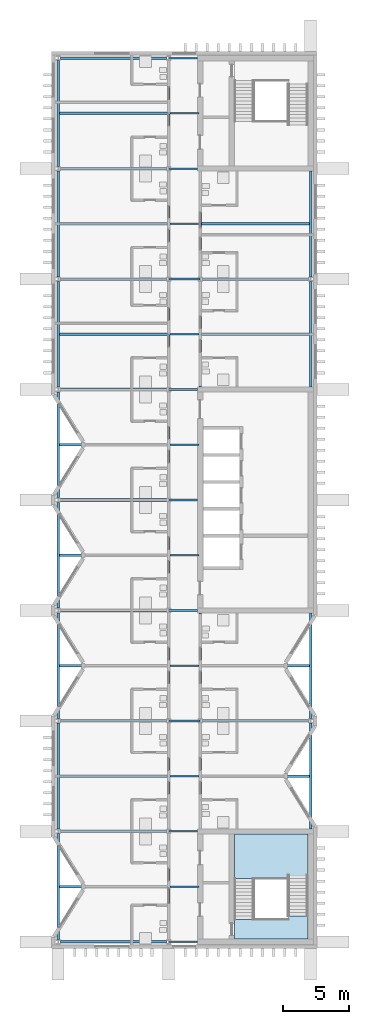
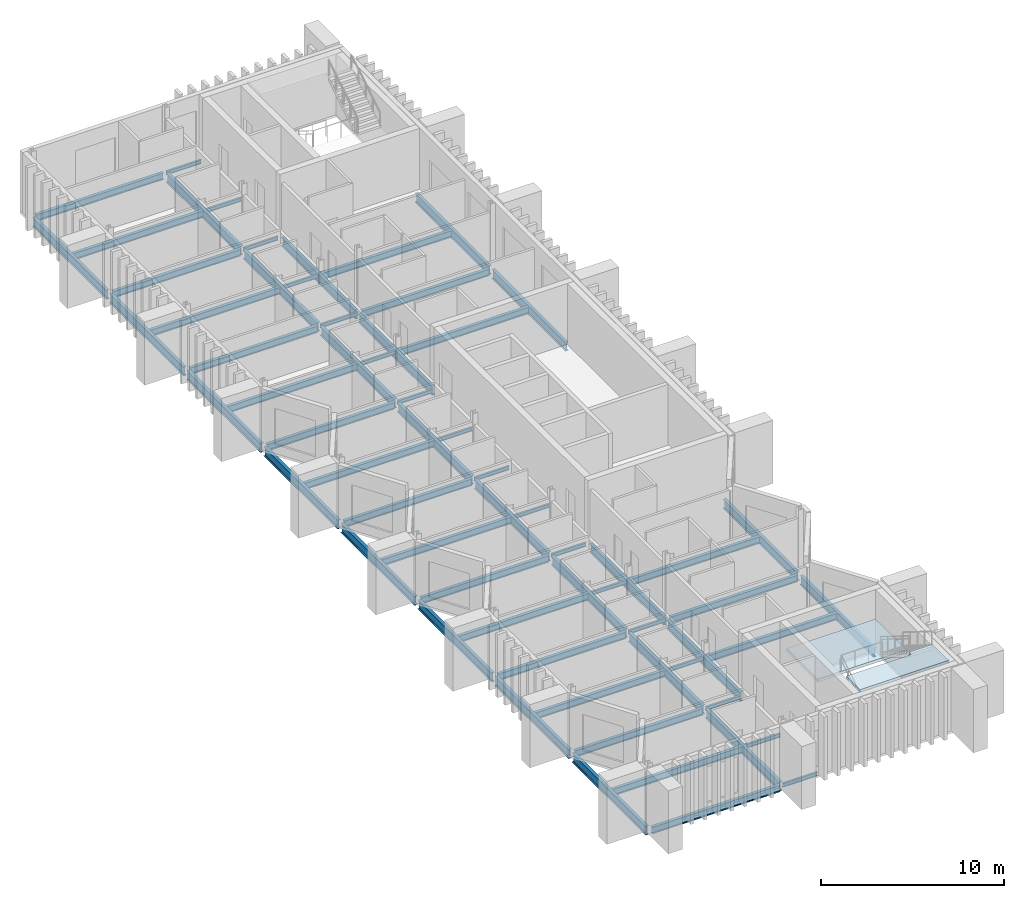
# One storey, part 3 of 11: 64 beams, 2 slabs, 1 element without a shape of its own.
"""IFC4 building model written with IfcOpenShell, lengths in metres."""

from ifc_helpers import new_model, si_unit, direction, frame, origin, origin_2d, place, context, subcontext, project, spatial, polyline, i_section, outline, extrude, material, layer, layer_set, material_profile, profile_set, type_object, element, aggregate, save


model = new_model("IFC4")

# Units and contexts
model_context = context("Model", 3, precision=1e-05, world=origin(), true_north=direction((0.0, 1.0)))
body_context = subcontext(model_context, "Body", "Model", "MODEL_VIEW")
ifc_project = project(units=[si_unit("LENGTHUNIT", "METRE"), si_unit("AREAUNIT", "SQUARE_METRE"), si_unit("VOLUMEUNIT", "CUBIC_METRE"), si_unit("PLANEANGLEUNIT", "RADIAN"), si_unit("MASSUNIT", "GRAM", prefix="KILO")], contexts=[model_context])

# Site, building, storey
site_placement = place(None, origin())
site = spatial("IfcSite", under=ifc_project, at=site_placement, CompositionType="ELEMENT")
building_placement = place(site_placement, origin())
building = spatial("IfcBuilding", under=site, at=building_placement, Name="Cresset Court Congress Hotel", CompositionType="ELEMENT")
storey_placement = place(building_placement, frame((0.0, 0.0, 52.199951171875)))
storey = spatial("IfcBuildingStorey", under=building, at=storey_placement, Name="L12", CompositionType="ELEMENT", Elevation=52.199951171875)

# Beams
ifc_material_1 = material(Name="Structural steel Q355B", Category="steel")
ifc_material_profile_1 = material_profile(ifc_material_1, i_section(OverallWidth=0.198974609375, OverallDepth=0.446044921875, WebThickness=0.008056640625, FlangeThickness=0.011962890625, FilletRadius=0.012939453125, at=origin_2d()), Name="HN446x199x8x12")
ifc_profile_set_1 = profile_set([ifc_material_profile_1], Name="Structural steel Q355B")
beam_type_1 = type_object("IfcBeamType", Name="Steel beam HN446x199x8x12", PredefinedType="BEAM", material=ifc_profile_set_1)
beam_1_placement = place(storey_placement, frame((157.375, 0.0, -0.373046875), z_axis=(1.0, 0.0, 0.0), x_axis=(0.0, 1.0, 0.0)))
element("IfcBeam", 1, at=beam_1_placement, inside=storey, type_object=beam_type_1, Name="A.bm.L12.W.frame0.0", PredefinedType="BEAM", context=body_context, shape_type="SweptSolid", body=[
    extrude(i_section(OverallWidth=0.198974609375, OverallDepth=0.446044921875, WebThickness=0.008056640625, FlangeThickness=0.011962890625, FilletRadius=0.012939453125, at=origin_2d()), origin(), (0.0, 0.0, 1.0), 8.050048828125),
])
beam_2_placement = place(storey_placement, frame((157.300048828125, 4.199951171875, -0.373046875), z_axis=(1.0, 0.0, 0.0), x_axis=(0.0, 1.0, 0.0)))
element("IfcBeam", 2, at=beam_2_placement, inside=storey, type_object=beam_type_1, Name="A.bm.L12.W.mid.0", PredefinedType="BEAM", context=body_context, shape_type="SweptSolid", body=[
    extrude(i_section(OverallWidth=0.198974609375, OverallDepth=0.446044921875, WebThickness=0.008056640625, FlangeThickness=0.011962890625, FilletRadius=0.012939453125, at=origin_2d()), origin(), (0.0, 0.0, 1.0), 8.199951171875),
])
beam_3_placement = place(storey_placement, frame((157.375, 8.39990234375, -0.373046875), z_axis=(1.0, 0.0, 0.0), x_axis=(0.0, 1.0, 0.0)))
element("IfcBeam", 3, at=beam_3_placement, inside=storey, type_object=beam_type_1, Name="A.bm.L12.W.frame0.1", PredefinedType="BEAM", context=body_context, shape_type="SweptSolid", body=[
    extrude(i_section(OverallWidth=0.198974609375, OverallDepth=0.446044921875, WebThickness=0.008056640625, FlangeThickness=0.011962890625, FilletRadius=0.012939453125, at=origin_2d()), origin(), (0.0, 0.0, 1.0), 8.050048828125),
])
for number, where, z_axis, x_axis, name in (
    (4, (157.300048828125, 12.60009765625, -0.373046875), (1.0, 0.0, 0.0), (0.0, 1.0, 0.0), "A.bm.L12.W.mid.1"),
    (5, (168.10009765625, 12.60009765625, -0.373046875), (1.0, 0.0, 0.0), (0.0, 1.0, 0.0), "A.bm.L12.E.mid.1"),
):
    element("IfcBeam", number, at=place(storey_placement, frame(where, z_axis=z_axis, x_axis=x_axis)), inside=storey, type_object=beam_type_1, Name=name, PredefinedType="BEAM", context=body_context, shape_type="SweptSolid", body=[
        extrude(i_section(OverallWidth=0.198974609375, OverallDepth=0.446044921875, WebThickness=0.008056640625, FlangeThickness=0.011962890625, FilletRadius=0.012939453125, at=origin_2d()), origin(), (0.0, 0.0, 1.0), 8.199951171875),
    ])
for number, where, z_axis, x_axis, name in (
    (6, (157.375, 16.800048828125, -0.373046875), (1.0, 0.0, 0.0), (0.0, 1.0, 0.0), "A.bm.L12.W.frame0.2"),
    (7, (168.175048828125, 16.800048828125, -0.373046875), (1.0, 0.0, 0.0), (0.0, 1.0, 0.0), "A.bm.L12.E.frame0.2"),
):
    element("IfcBeam", number, at=place(storey_placement, frame(where, z_axis=z_axis, x_axis=x_axis)), inside=storey, type_object=beam_type_1, Name=name, PredefinedType="BEAM", context=body_context, shape_type="SweptSolid", body=[
        extrude(i_section(OverallWidth=0.198974609375, OverallDepth=0.446044921875, WebThickness=0.008056640625, FlangeThickness=0.011962890625, FilletRadius=0.012939453125, at=origin_2d()), origin(), (0.0, 0.0, 1.0), 8.050048828125),
    ])
for number, where, z_axis, x_axis, name in (
    (8, (157.300048828125, 21.0, -0.373046875), (1.0, 0.0, 0.0), (0.0, 1.0, 0.0), "A.bm.L12.W.mid.2"),
    (9, (168.10009765625, 21.0, -0.373046875), (1.0, 0.0, 0.0), (0.0, 1.0, 0.0), "A.bm.L12.E.mid.2"),
):
    element("IfcBeam", number, at=place(storey_placement, frame(where, z_axis=z_axis, x_axis=x_axis)), inside=storey, type_object=beam_type_1, Name=name, PredefinedType="BEAM", context=body_context, shape_type="SweptSolid", body=[
        extrude(i_section(OverallWidth=0.198974609375, OverallDepth=0.446044921875, WebThickness=0.008056640625, FlangeThickness=0.011962890625, FilletRadius=0.012939453125, at=origin_2d()), origin(), (0.0, 0.0, 1.0), 8.199951171875),
    ])
beam_4_placement = place(storey_placement, frame((157.375, 25.199951171875, -0.373046875), z_axis=(1.0, 0.0, 0.0), x_axis=(0.0, 1.0, 0.0)))
element("IfcBeam", 10, at=beam_4_placement, inside=storey, type_object=beam_type_1, Name="A.bm.L12.W.frame0.3", PredefinedType="BEAM", context=body_context, shape_type="SweptSolid", body=[
    extrude(i_section(OverallWidth=0.198974609375, OverallDepth=0.446044921875, WebThickness=0.008056640625, FlangeThickness=0.011962890625, FilletRadius=0.012939453125, at=origin_2d()), origin(), (0.0, 0.0, 1.0), 8.050048828125),
])
beam_5_placement = place(storey_placement, frame((157.300048828125, 29.39990234375, -0.373046875), z_axis=(1.0, 0.0, 0.0), x_axis=(0.0, 1.0, 0.0)))
element("IfcBeam", 11, at=beam_5_placement, inside=storey, type_object=beam_type_1, Name="A.bm.L12.W.mid.3", PredefinedType="BEAM", context=body_context, shape_type="SweptSolid", body=[
    extrude(i_section(OverallWidth=0.198974609375, OverallDepth=0.446044921875, WebThickness=0.008056640625, FlangeThickness=0.011962890625, FilletRadius=0.012939453125, at=origin_2d()), origin(), (0.0, 0.0, 1.0), 8.199951171875),
])
beam_6_placement = place(storey_placement, frame((157.375, 33.60009765625, -0.373046875), z_axis=(1.0, 0.0, 0.0), x_axis=(0.0, 1.0, 0.0)))
element("IfcBeam", 12, at=beam_6_placement, inside=storey, type_object=beam_type_1, Name="A.bm.L12.W.frame0.4", PredefinedType="BEAM", context=body_context, shape_type="SweptSolid", body=[
    extrude(i_section(OverallWidth=0.198974609375, OverallDepth=0.446044921875, WebThickness=0.008056640625, FlangeThickness=0.011962890625, FilletRadius=0.012939453125, at=origin_2d()), origin(), (0.0, 0.0, 1.0), 8.050048828125),
])
beam_7_placement = place(storey_placement, frame((157.300048828125, 37.800048828125, -0.373046875), z_axis=(1.0, 0.0, 0.0), x_axis=(0.0, 1.0, 0.0)))
element("IfcBeam", 13, at=beam_7_placement, inside=storey, type_object=beam_type_1, Name="A.bm.L12.W.mid.4", PredefinedType="BEAM", context=body_context, shape_type="SweptSolid", body=[
    extrude(i_section(OverallWidth=0.198974609375, OverallDepth=0.446044921875, WebThickness=0.008056640625, FlangeThickness=0.011962890625, FilletRadius=0.012939453125, at=origin_2d()), origin(), (0.0, 0.0, 1.0), 8.199951171875),
])
beam_8_placement = place(storey_placement, frame((157.375, 42.0, -0.373046875), z_axis=(1.0, 0.0, 0.0), x_axis=(0.0, 1.0, 0.0)))
element("IfcBeam", 14, at=beam_8_placement, inside=storey, type_object=beam_type_1, Name="A.bm.L12.W.frame0.5", PredefinedType="BEAM", context=body_context, shape_type="SweptSolid", body=[
    extrude(i_section(OverallWidth=0.198974609375, OverallDepth=0.446044921875, WebThickness=0.008056640625, FlangeThickness=0.011962890625, FilletRadius=0.012939453125, at=origin_2d()), origin(), (0.0, 0.0, 1.0), 8.050048828125),
])
for number, where, z_axis, x_axis, name in (
    (15, (157.300048828125, 46.199951171875, -0.373046875), (1.0, 0.0, 0.0), (0.0, 1.0, 0.0), "A.bm.L12.W.mid.5"),
    (16, (168.10009765625, 46.199951171875, -0.373046875), (1.0, 0.0, 0.0), (0.0, 1.0, 0.0), "A.bm.L12.E.mid.5"),
):
    element("IfcBeam", number, at=place(storey_placement, frame(where, z_axis=z_axis, x_axis=x_axis)), inside=storey, type_object=beam_type_1, Name=name, PredefinedType="BEAM", context=body_context, shape_type="SweptSolid", body=[
        extrude(i_section(OverallWidth=0.198974609375, OverallDepth=0.446044921875, WebThickness=0.008056640625, FlangeThickness=0.011962890625, FilletRadius=0.012939453125, at=origin_2d()), origin(), (0.0, 0.0, 1.0), 8.199951171875),
    ])
for number, where, z_axis, x_axis, name in (
    (17, (157.375, 50.39990234375, -0.373046875), (1.0, 0.0, 0.0), (0.0, 1.0, 0.0), "A.bm.L12.W.frame0.6"),
    (18, (168.175048828125, 50.39990234375, -0.373046875), (1.0, 0.0, 0.0), (0.0, 1.0, 0.0), "A.bm.L12.E.frame0.6"),
):
    element("IfcBeam", number, at=place(storey_placement, frame(where, z_axis=z_axis, x_axis=x_axis)), inside=storey, type_object=beam_type_1, Name=name, PredefinedType="BEAM", context=body_context, shape_type="SweptSolid", body=[
        extrude(i_section(OverallWidth=0.198974609375, OverallDepth=0.446044921875, WebThickness=0.008056640625, FlangeThickness=0.011962890625, FilletRadius=0.012939453125, at=origin_2d()), origin(), (0.0, 0.0, 1.0), 8.050048828125),
    ])
for number, where, z_axis, x_axis, name in (
    (19, (157.300048828125, 54.60009765625, -0.373046875), (1.0, 0.0, 0.0), (0.0, 1.0, 0.0), "A.bm.L12.W.mid.6"),
    (20, (168.10009765625, 54.60009765625, -0.373046875), (1.0, 0.0, 0.0), (0.0, 1.0, 0.0), "A.bm.L12.E.mid.6"),
):
    element("IfcBeam", number, at=place(storey_placement, frame(where, z_axis=z_axis, x_axis=x_axis)), inside=storey, type_object=beam_type_1, Name=name, PredefinedType="BEAM", context=body_context, shape_type="SweptSolid", body=[
        extrude(i_section(OverallWidth=0.198974609375, OverallDepth=0.446044921875, WebThickness=0.008056640625, FlangeThickness=0.011962890625, FilletRadius=0.012939453125, at=origin_2d()), origin(), (0.0, 0.0, 1.0), 8.199951171875),
    ])
beam_9_placement = place(storey_placement, frame((157.375, 58.800048828125, -0.373046875), z_axis=(1.0, 0.0, 0.0), x_axis=(0.0, 1.0, 0.0)))
element("IfcBeam", 21, at=beam_9_placement, inside=storey, type_object=beam_type_1, Name="A.bm.L12.W.frame0.7", PredefinedType="BEAM", context=body_context, shape_type="SweptSolid", body=[
    extrude(i_section(OverallWidth=0.198974609375, OverallDepth=0.446044921875, WebThickness=0.008056640625, FlangeThickness=0.011962890625, FilletRadius=0.012939453125, at=origin_2d()), origin(), (0.0, 0.0, 1.0), 8.050048828125),
])
beam_10_placement = place(storey_placement, frame((157.300048828125, 63.0, -0.373046875), z_axis=(1.0, 0.0, 0.0), x_axis=(0.0, 1.0, 0.0)))
element("IfcBeam", 22, at=beam_10_placement, inside=storey, type_object=beam_type_1, Name="A.bm.L12.W.mid.7", PredefinedType="BEAM", context=body_context, shape_type="SweptSolid", body=[
    extrude(i_section(OverallWidth=0.198974609375, OverallDepth=0.446044921875, WebThickness=0.008056640625, FlangeThickness=0.011962890625, FilletRadius=0.012939453125, at=origin_2d()), origin(), (0.0, 0.0, 1.0), 8.199951171875),
])
beam_11_placement = place(storey_placement, frame((157.375, 67.199951171875, -0.373046875), z_axis=(1.0, 0.0, 0.0), x_axis=(0.0, 1.0, 0.0)))
element("IfcBeam", 23, at=beam_11_placement, inside=storey, type_object=beam_type_1, Name="A.bm.L12.W.frame1.7", PredefinedType="BEAM", context=body_context, shape_type="SweptSolid", body=[
    extrude(i_section(OverallWidth=0.198974609375, OverallDepth=0.446044921875, WebThickness=0.008056640625, FlangeThickness=0.011962890625, FilletRadius=0.012939453125, at=origin_2d()), origin(), (0.0, 0.0, 1.0), 8.050048828125),
])
ifc_material_2 = material(Name="Structural steel Q355B", Category="steel")
ifc_material_profile_2 = material_profile(ifc_material_2, i_section(OverallWidth=0.125, OverallDepth=0.25, WebThickness=0.006103515625, FlangeThickness=0.009033203125, FilletRadius=0.012939453125, at=origin_2d()), Name="HN250x125x6x9")
ifc_profile_set_2 = profile_set([ifc_material_profile_2], Name="Structural steel Q355B")
beam_type_2 = type_object("IfcBeamType", Name="Steel corridor beam HN250x125x6x9", PredefinedType="BEAM", material=ifc_profile_set_2)
beam_12_placement = place(storey_placement, frame((165.60595703125, 0.0, -0.27490234375), z_axis=(1.0, 0.0, 0.0), x_axis=(0.0, 1.0, 0.0)))
element("IfcBeam", 24, at=beam_12_placement, inside=storey, type_object=beam_type_2, Name="A.bm.L12.C.frame0.0", PredefinedType="BEAM", context=body_context, shape_type="SweptSolid", body=[
    extrude(i_section(OverallWidth=0.125, OverallDepth=0.25, WebThickness=0.006103515625, FlangeThickness=0.009033203125, FilletRadius=0.012939453125, at=origin_2d()), origin(), (0.0, 0.0, 1.0), 2.194091796875),
])
beam_13_placement = place(storey_placement, frame((165.699951171875, 4.199951171875, -0.27490234375), z_axis=(1.0, 0.0, 0.0), x_axis=(0.0, 1.0, 0.0)))
element("IfcBeam", 25, at=beam_13_placement, inside=storey, type_object=beam_type_2, Name="A.bm.L12.C.mid.0", PredefinedType="BEAM", context=body_context, shape_type="SweptSolid", body=[
    extrude(i_section(OverallWidth=0.125, OverallDepth=0.25, WebThickness=0.006103515625, FlangeThickness=0.009033203125, FilletRadius=0.012939453125, at=origin_2d()), origin(), (0.0, 0.0, 1.0), 2.199951171875),
])
beam_14_placement = place(storey_placement, frame((165.60595703125, 8.39990234375, -0.27490234375), z_axis=(1.0, 0.0, 0.0), x_axis=(0.0, 1.0, 0.0)))
element("IfcBeam", 26, at=beam_14_placement, inside=storey, type_object=beam_type_2, Name="A.bm.L12.C.frame0.1", PredefinedType="BEAM", context=body_context, shape_type="SweptSolid", body=[
    extrude(i_section(OverallWidth=0.125, OverallDepth=0.25, WebThickness=0.006103515625, FlangeThickness=0.009033203125, FilletRadius=0.012939453125, at=origin_2d()), origin(), (0.0, 0.0, 1.0), 2.194091796875),
])
beam_15_placement = place(storey_placement, frame((165.699951171875, 12.60009765625, -0.27490234375), z_axis=(1.0, 0.0, 0.0), x_axis=(0.0, 1.0, 0.0)))
element("IfcBeam", 27, at=beam_15_placement, inside=storey, type_object=beam_type_2, Name="A.bm.L12.C.mid.1", PredefinedType="BEAM", context=body_context, shape_type="SweptSolid", body=[
    extrude(i_section(OverallWidth=0.125, OverallDepth=0.25, WebThickness=0.006103515625, FlangeThickness=0.009033203125, FilletRadius=0.012939453125, at=origin_2d()), origin(), (0.0, 0.0, 1.0), 2.199951171875),
])
beam_16_placement = place(storey_placement, frame((165.60595703125, 16.800048828125, -0.27490234375), z_axis=(1.0, 0.0, 0.0), x_axis=(0.0, 1.0, 0.0)))
element("IfcBeam", 28, at=beam_16_placement, inside=storey, type_object=beam_type_2, Name="A.bm.L12.C.frame0.2", PredefinedType="BEAM", context=body_context, shape_type="SweptSolid", body=[
    extrude(i_section(OverallWidth=0.125, OverallDepth=0.25, WebThickness=0.006103515625, FlangeThickness=0.009033203125, FilletRadius=0.012939453125, at=origin_2d()), origin(), (0.0, 0.0, 1.0), 2.387939453125),
])
beam_17_placement = place(storey_placement, frame((165.699951171875, 21.0, -0.27490234375), z_axis=(1.0, 0.0, 0.0), x_axis=(0.0, 1.0, 0.0)))
element("IfcBeam", 29, at=beam_17_placement, inside=storey, type_object=beam_type_2, Name="A.bm.L12.C.mid.2", PredefinedType="BEAM", context=body_context, shape_type="SweptSolid", body=[
    extrude(i_section(OverallWidth=0.125, OverallDepth=0.25, WebThickness=0.006103515625, FlangeThickness=0.009033203125, FilletRadius=0.012939453125, at=origin_2d()), origin(), (0.0, 0.0, 1.0), 2.199951171875),
])
beam_18_placement = place(storey_placement, frame((165.60595703125, 25.199951171875, -0.27490234375), z_axis=(1.0, 0.0, 0.0), x_axis=(0.0, 1.0, 0.0)))
element("IfcBeam", 30, at=beam_18_placement, inside=storey, type_object=beam_type_2, Name="A.bm.L12.C.frame0.3", PredefinedType="BEAM", context=body_context, shape_type="SweptSolid", body=[
    extrude(i_section(OverallWidth=0.125, OverallDepth=0.25, WebThickness=0.006103515625, FlangeThickness=0.009033203125, FilletRadius=0.012939453125, at=origin_2d()), origin(), (0.0, 0.0, 1.0), 2.194091796875),
])
beam_19_placement = place(storey_placement, frame((165.699951171875, 29.39990234375, -0.27490234375), z_axis=(1.0, 0.0, 0.0), x_axis=(0.0, 1.0, 0.0)))
element("IfcBeam", 31, at=beam_19_placement, inside=storey, type_object=beam_type_2, Name="A.bm.L12.C.mid.3", PredefinedType="BEAM", context=body_context, shape_type="SweptSolid", body=[
    extrude(i_section(OverallWidth=0.125, OverallDepth=0.25, WebThickness=0.006103515625, FlangeThickness=0.009033203125, FilletRadius=0.012939453125, at=origin_2d()), origin(), (0.0, 0.0, 1.0), 2.199951171875),
])
beam_20_placement = place(storey_placement, frame((165.60595703125, 33.60009765625, -0.27490234375), z_axis=(1.0, 0.0, 0.0), x_axis=(0.0, 1.0, 0.0)))
element("IfcBeam", 32, at=beam_20_placement, inside=storey, type_object=beam_type_2, Name="A.bm.L12.C.frame0.4", PredefinedType="BEAM", context=body_context, shape_type="SweptSolid", body=[
    extrude(i_section(OverallWidth=0.125, OverallDepth=0.25, WebThickness=0.006103515625, FlangeThickness=0.009033203125, FilletRadius=0.012939453125, at=origin_2d()), origin(), (0.0, 0.0, 1.0), 2.194091796875),
])
beam_21_placement = place(storey_placement, frame((165.699951171875, 37.800048828125, -0.27490234375), z_axis=(1.0, 0.0, 0.0), x_axis=(0.0, 1.0, 0.0)))
element("IfcBeam", 33, at=beam_21_placement, inside=storey, type_object=beam_type_2, Name="A.bm.L12.C.mid.4", PredefinedType="BEAM", context=body_context, shape_type="SweptSolid", body=[
    extrude(i_section(OverallWidth=0.125, OverallDepth=0.25, WebThickness=0.006103515625, FlangeThickness=0.009033203125, FilletRadius=0.012939453125, at=origin_2d()), origin(), (0.0, 0.0, 1.0), 2.199951171875),
])
beam_22_placement = place(storey_placement, frame((165.60595703125, 42.0, -0.27490234375), z_axis=(1.0, 0.0, 0.0), x_axis=(0.0, 1.0, 0.0)))
element("IfcBeam", 34, at=beam_22_placement, inside=storey, type_object=beam_type_2, Name="A.bm.L12.C.frame0.5", PredefinedType="BEAM", context=body_context, shape_type="SweptSolid", body=[
    extrude(i_section(OverallWidth=0.125, OverallDepth=0.25, WebThickness=0.006103515625, FlangeThickness=0.009033203125, FilletRadius=0.012939453125, at=origin_2d()), origin(), (0.0, 0.0, 1.0), 2.194091796875),
])
beam_23_placement = place(storey_placement, frame((165.699951171875, 46.199951171875, -0.27490234375), z_axis=(1.0, 0.0, 0.0), x_axis=(0.0, 1.0, 0.0)))
element("IfcBeam", 35, at=beam_23_placement, inside=storey, type_object=beam_type_2, Name="A.bm.L12.C.mid.5", PredefinedType="BEAM", context=body_context, shape_type="SweptSolid", body=[
    extrude(i_section(OverallWidth=0.125, OverallDepth=0.25, WebThickness=0.006103515625, FlangeThickness=0.009033203125, FilletRadius=0.012939453125, at=origin_2d()), origin(), (0.0, 0.0, 1.0), 2.199951171875),
])
beam_24_placement = place(storey_placement, frame((165.60595703125, 50.39990234375, -0.27490234375), z_axis=(1.0, 0.0, 0.0), x_axis=(0.0, 1.0, 0.0)))
element("IfcBeam", 36, at=beam_24_placement, inside=storey, type_object=beam_type_2, Name="A.bm.L12.C.frame0.6", PredefinedType="BEAM", context=body_context, shape_type="SweptSolid", body=[
    extrude(i_section(OverallWidth=0.125, OverallDepth=0.25, WebThickness=0.006103515625, FlangeThickness=0.009033203125, FilletRadius=0.012939453125, at=origin_2d()), origin(), (0.0, 0.0, 1.0), 2.387939453125),
])
beam_25_placement = place(storey_placement, frame((165.699951171875, 54.60009765625, -0.27490234375), z_axis=(1.0, 0.0, 0.0), x_axis=(0.0, 1.0, 0.0)))
element("IfcBeam", 37, at=beam_25_placement, inside=storey, type_object=beam_type_2, Name="A.bm.L12.C.mid.6", PredefinedType="BEAM", context=body_context, shape_type="SweptSolid", body=[
    extrude(i_section(OverallWidth=0.125, OverallDepth=0.25, WebThickness=0.006103515625, FlangeThickness=0.009033203125, FilletRadius=0.012939453125, at=origin_2d()), origin(), (0.0, 0.0, 1.0), 2.199951171875),
])
beam_26_placement = place(storey_placement, frame((165.60595703125, 58.800048828125, -0.27490234375), z_axis=(1.0, 0.0, 0.0), x_axis=(0.0, 1.0, 0.0)))
element("IfcBeam", 38, at=beam_26_placement, inside=storey, type_object=beam_type_2, Name="A.bm.L12.C.frame0.7", PredefinedType="BEAM", context=body_context, shape_type="SweptSolid", body=[
    extrude(i_section(OverallWidth=0.125, OverallDepth=0.25, WebThickness=0.006103515625, FlangeThickness=0.009033203125, FilletRadius=0.012939453125, at=origin_2d()), origin(), (0.0, 0.0, 1.0), 2.194091796875),
])
beam_27_placement = place(storey_placement, frame((165.699951171875, 63.0, -0.27490234375), z_axis=(1.0, 0.0, 0.0), x_axis=(0.0, 1.0, 0.0)))
element("IfcBeam", 39, at=beam_27_placement, inside=storey, type_object=beam_type_2, Name="A.bm.L12.C.mid.7", PredefinedType="BEAM", context=body_context, shape_type="SweptSolid", body=[
    extrude(i_section(OverallWidth=0.125, OverallDepth=0.25, WebThickness=0.006103515625, FlangeThickness=0.009033203125, FilletRadius=0.012939453125, at=origin_2d()), origin(), (0.0, 0.0, 1.0), 2.199951171875),
])
beam_28_placement = place(storey_placement, frame((165.60595703125, 67.199951171875, -0.27490234375), z_axis=(1.0, 0.0, 0.0), x_axis=(0.0, 1.0, 0.0)))
element("IfcBeam", 40, at=beam_28_placement, inside=storey, type_object=beam_type_2, Name="A.bm.L12.C.frame1.7", PredefinedType="BEAM", context=body_context, shape_type="SweptSolid", body=[
    extrude(i_section(OverallWidth=0.125, OverallDepth=0.25, WebThickness=0.006103515625, FlangeThickness=0.009033203125, FilletRadius=0.012939453125, at=origin_2d()), origin(), (0.0, 0.0, 1.0), 2.194091796875),
])
ifc_material_3 = material(Name="Structural steel Q355B", Category="steel")
ifc_material_profile_3 = material_profile(ifc_material_3, i_section(OverallWidth=0.199951171875, OverallDepth=0.60009765625, WebThickness=0.010986328125, FlangeThickness=0.01708984375, FilletRadius=0.012939453125, at=origin_2d()), Name="HN600x200x11x17")
ifc_profile_set_3 = profile_set([ifc_material_profile_3], Name="Structural steel Q355B")
beam_type_3 = type_object("IfcBeamType", Name="Steel girder HN600x200x11x17", PredefinedType="BEAM", material=ifc_profile_set_3)
for number, where, z_axis, x_axis, name in (
    (41, (157.199951171875, 0.175048828125, -0.449951171875), (0.0, 1.0, 0.0), (-1.0, 0.0, 0.0), "A.gir.L12.0.0"),
    (42, (157.199951171875, 8.574951171875, -0.449951171875), (0.0, 1.0, 0.0), (-1.0, 0.0, 0.0), "A.gir.L12.0.1"),
):
    element("IfcBeam", number, at=place(storey_placement, frame(where, z_axis=z_axis, x_axis=x_axis)), inside=storey, type_object=beam_type_3, Name=name, PredefinedType="BEAM", context=body_context, shape_type="SweptSolid", body=[
        extrude(i_section(OverallWidth=0.199951171875, OverallDepth=0.60009765625, WebThickness=0.010986328125, FlangeThickness=0.01708984375, FilletRadius=0.012939453125, at=origin_2d()), origin(), (0.0, 0.0, 1.0), 8.050048828125),
    ])
beam_29_placement = place(storey_placement, frame((157.199951171875, 16.97509765625, -0.449951171875), z_axis=(0.0, 1.0, 0.0), x_axis=(-1.0, 0.0, 0.0)))
element("IfcBeam", 43, at=beam_29_placement, inside=storey, type_object=beam_type_3, Name="A.gir.L12.0.2", PredefinedType="BEAM", context=body_context, shape_type="SweptSolid", body=[
    extrude(i_section(OverallWidth=0.199951171875, OverallDepth=0.60009765625, WebThickness=0.010986328125, FlangeThickness=0.01708984375, FilletRadius=0.012939453125, at=origin_2d()), origin(), (0.0, 0.0, 1.0), 8.0498046875),
])
for number, where, z_axis, x_axis, name in (
    (44, (157.199951171875, 25.375, -0.449951171875), (0.0, 1.0, 0.0), (-1.0, 0.0, 0.0), "A.gir.L12.0.3"),
    (45, (157.199951171875, 33.77490234375, -0.449951171875), (0.0, 1.0, 0.0), (-1.0, 0.0, 0.0), "A.gir.L12.0.4"),
    (46, (157.199951171875, 42.175048828125, -0.449951171875), (0.0, 1.0, 0.0), (-1.0, 0.0, 0.0), "A.gir.L12.0.5"),
    (47, (157.199951171875, 50.574951171875, -0.449951171875), (0.0, 1.0, 0.0), (-1.0, 0.0, 0.0), "A.gir.L12.0.6"),
):
    element("IfcBeam", number, at=place(storey_placement, frame(where, z_axis=z_axis, x_axis=x_axis)), inside=storey, type_object=beam_type_3, Name=name, PredefinedType="BEAM", context=body_context, shape_type="SweptSolid", body=[
        extrude(i_section(OverallWidth=0.199951171875, OverallDepth=0.60009765625, WebThickness=0.010986328125, FlangeThickness=0.01708984375, FilletRadius=0.012939453125, at=origin_2d()), origin(), (0.0, 0.0, 1.0), 8.050048828125),
    ])
beam_30_placement = place(storey_placement, frame((157.199951171875, 58.97509765625, -0.449951171875), z_axis=(0.0, 1.0, 0.0), x_axis=(-1.0, 0.0, 0.0)))
element("IfcBeam", 48, at=beam_30_placement, inside=storey, type_object=beam_type_3, Name="A.gir.L12.0.7", PredefinedType="BEAM", context=body_context, shape_type="SweptSolid", body=[
    extrude(i_section(OverallWidth=0.199951171875, OverallDepth=0.60009765625, WebThickness=0.010986328125, FlangeThickness=0.01708984375, FilletRadius=0.012939453125, at=origin_2d()), origin(), (0.0, 0.0, 1.0), 8.0498046875),
])
for number, where, z_axis, x_axis, name in (
    (49, (165.60009765625, 0.175048828125, -0.449951171875), (0.0, 1.0, 0.0), (-1.0, 0.0, 0.0), "A.gir.L12.1.0"),
    (50, (165.60009765625, 8.574951171875, -0.449951171875), (0.0, 1.0, 0.0), (-1.0, 0.0, 0.0), "A.gir.L12.1.1"),
):
    element("IfcBeam", number, at=place(storey_placement, frame(where, z_axis=z_axis, x_axis=x_axis)), inside=storey, type_object=beam_type_3, Name=name, PredefinedType="BEAM", context=body_context, shape_type="SweptSolid", body=[
        extrude(i_section(OverallWidth=0.199951171875, OverallDepth=0.60009765625, WebThickness=0.010986328125, FlangeThickness=0.01708984375, FilletRadius=0.012939453125, at=origin_2d()), origin(), (0.0, 0.0, 1.0), 8.050048828125),
    ])
beam_31_placement = place(storey_placement, frame((165.60009765625, 16.97509765625, -0.449951171875), z_axis=(0.0, 1.0, 0.0), x_axis=(-1.0, 0.0, 0.0)))
element("IfcBeam", 51, at=beam_31_placement, inside=storey, type_object=beam_type_3, Name="A.gir.L12.1.2", PredefinedType="BEAM", context=body_context, shape_type="SweptSolid", body=[
    extrude(i_section(OverallWidth=0.199951171875, OverallDepth=0.60009765625, WebThickness=0.010986328125, FlangeThickness=0.01708984375, FilletRadius=0.012939453125, at=origin_2d()), origin(), (0.0, 0.0, 1.0), 8.0498046875),
])
for number, where, z_axis, x_axis, name in (
    (52, (165.60009765625, 25.375, -0.449951171875), (0.0, 1.0, 0.0), (-1.0, 0.0, 0.0), "A.gir.L12.1.3"),
    (53, (165.60009765625, 33.77490234375, -0.449951171875), (0.0, 1.0, 0.0), (-1.0, 0.0, 0.0), "A.gir.L12.1.4"),
    (54, (165.60009765625, 42.175048828125, -0.449951171875), (0.0, 1.0, 0.0), (-1.0, 0.0, 0.0), "A.gir.L12.1.5"),
    (55, (165.60009765625, 50.574951171875, -0.449951171875), (0.0, 1.0, 0.0), (-1.0, 0.0, 0.0), "A.gir.L12.1.6"),
):
    element("IfcBeam", number, at=place(storey_placement, frame(where, z_axis=z_axis, x_axis=x_axis)), inside=storey, type_object=beam_type_3, Name=name, PredefinedType="BEAM", context=body_context, shape_type="SweptSolid", body=[
        extrude(i_section(OverallWidth=0.199951171875, OverallDepth=0.60009765625, WebThickness=0.010986328125, FlangeThickness=0.01708984375, FilletRadius=0.012939453125, at=origin_2d()), origin(), (0.0, 0.0, 1.0), 8.050048828125),
    ])
beam_32_placement = place(storey_placement, frame((165.60009765625, 58.97509765625, -0.449951171875), z_axis=(0.0, 1.0, 0.0), x_axis=(-1.0, 0.0, 0.0)))
element("IfcBeam", 56, at=beam_32_placement, inside=storey, type_object=beam_type_3, Name="A.gir.L12.1.7", PredefinedType="BEAM", context=body_context, shape_type="SweptSolid", body=[
    extrude(i_section(OverallWidth=0.199951171875, OverallDepth=0.60009765625, WebThickness=0.010986328125, FlangeThickness=0.01708984375, FilletRadius=0.012939453125, at=origin_2d()), origin(), (0.0, 0.0, 1.0), 8.0498046875),
])
for number, where, z_axis, x_axis, name in (
    (57, (168.0, 8.60009765625, -0.449951171875), (0.0, 1.0, 0.0), (-1.0, 0.0, 0.0), "A.gir.L12.2.1"),
    (58, (168.0, 16.97509765625, -0.449951171875), (0.0, 1.0, 0.0), (-1.0, 0.0, 0.0), "A.gir.L12.2.2"),
):
    element("IfcBeam", number, at=place(storey_placement, frame(where, z_axis=z_axis, x_axis=x_axis)), inside=storey, type_object=beam_type_3, Name=name, PredefinedType="BEAM", context=body_context, shape_type="SweptSolid", body=[
        extrude(i_section(OverallWidth=0.199951171875, OverallDepth=0.60009765625, WebThickness=0.010986328125, FlangeThickness=0.01708984375, FilletRadius=0.012939453125, at=origin_2d()), origin(), (0.0, 0.0, 1.0), 8.02490234375),
    ])
for number, where, z_axis, x_axis, name in (
    (59, (168.0, 42.199951171875, -0.449951171875), (0.0, 1.0, 0.0), (-1.0, 0.0, 0.0), "A.gir.L12.2.5"),
    (60, (168.0, 50.574951171875, -0.449951171875), (0.0, 1.0, 0.0), (-1.0, 0.0, 0.0), "A.gir.L12.2.6"),
):
    element("IfcBeam", number, at=place(storey_placement, frame(where, z_axis=z_axis, x_axis=x_axis)), inside=storey, type_object=beam_type_3, Name=name, PredefinedType="BEAM", context=body_context, shape_type="SweptSolid", body=[
        extrude(i_section(OverallWidth=0.199951171875, OverallDepth=0.60009765625, WebThickness=0.010986328125, FlangeThickness=0.01708984375, FilletRadius=0.012939453125, at=origin_2d()), origin(), (0.0, 0.0, 1.0), 8.025146484375),
    ])
for number, where, z_axis, x_axis, name in (
    (61, (176.39990234375, 8.60009765625, -0.449951171875), (0.0, 1.0, 0.0), (-1.0, 0.0, 0.0), "A.gir.L12.3.1"),
    (62, (176.39990234375, 16.97509765625, -0.449951171875), (0.0, 1.0, 0.0), (-1.0, 0.0, 0.0), "A.gir.L12.3.2"),
):
    element("IfcBeam", number, at=place(storey_placement, frame(where, z_axis=z_axis, x_axis=x_axis)), inside=storey, type_object=beam_type_3, Name=name, PredefinedType="BEAM", context=body_context, shape_type="SweptSolid", body=[
        extrude(i_section(OverallWidth=0.199951171875, OverallDepth=0.60009765625, WebThickness=0.010986328125, FlangeThickness=0.01708984375, FilletRadius=0.012939453125, at=origin_2d()), origin(), (0.0, 0.0, 1.0), 8.02490234375),
    ])
for number, where, z_axis, x_axis, name in (
    (63, (176.39990234375, 42.199951171875, -0.449951171875), (0.0, 1.0, 0.0), (-1.0, 0.0, 0.0), "A.gir.L12.3.5"),
    (64, (176.39990234375, 50.574951171875, -0.449951171875), (0.0, 1.0, 0.0), (-1.0, 0.0, 0.0), "A.gir.L12.3.6"),
):
    element("IfcBeam", number, at=place(storey_placement, frame(where, z_axis=z_axis, x_axis=x_axis)), inside=storey, type_object=beam_type_3, Name=name, PredefinedType="BEAM", context=body_context, shape_type="SweptSolid", body=[
        extrude(i_section(OverallWidth=0.199951171875, OverallDepth=0.60009765625, WebThickness=0.010986328125, FlangeThickness=0.01708984375, FilletRadius=0.012939453125, at=origin_2d()), origin(), (0.0, 0.0, 1.0), 8.025146484375),
    ])

# Stair, slabs
ifc_material_4 = material(Name="Concrete C40", Category="concrete")
stair_type = type_object("IfcStairType", Name="Concrete dog-leg stair 5600", PredefinedType="HALF_TURN_STAIR", material=ifc_material_4)
stair_placement = place(storey_placement, origin())
stair = element("IfcStair", 65, at=stair_placement, inside=storey, type_object=stair_type, Name="Stair A1 L12", PredefinedType="HALF_TURN_STAIR")
ifc_material_5 = material(Name="Concrete C40", Category="concrete")
ifc_layer = layer(ifc_material_5, 0.199951171875)
ifc_layer_set = layer_set([ifc_layer], Name="Stair landing 200")
slab_type = type_object("IfcSlabType", Name="Stair landing 200", PredefinedType="LANDING", material=ifc_layer_set)
slab_1_placement = place(storey_placement, frame((0.0, 0.0, 1.900146484375)))
slab_1 = element("IfcSlab", 66, at=slab_1_placement, type_object=slab_type, Name="A-ST1 landing 1", PredefinedType="LANDING", context=body_context, shape_type="SweptSolid", body=[
    extrude(outline(polyline([(170.60009765625, 4.819091796875), (176.199951171875, 4.819091796875), (176.199951171875, 8.199951171875), (170.60009765625, 8.199951171875), (170.60009765625, 4.819091796875)])), origin(), (0.0, 0.0, 1.0), 0.199951171875),
])
slab_2_placement = place(storey_placement, frame((0.0, 0.0, 4.0)))
slab_2 = element("IfcSlab", 67, at=slab_2_placement, type_object=slab_type, Name="A-ST1 landing 2", PredefinedType="LANDING", context=body_context, shape_type="SweptSolid", body=[
    extrude(outline(polyline([(170.60009765625, 0.199951171875), (176.199951171875, 0.199951171875), (176.199951171875, 1.960693359375), (174.699951171875, 1.960693359375), (174.699951171875, 1.70068359375), (170.60009765625, 1.70068359375), (170.60009765625, 0.199951171875)])), origin(), (0.0, 0.0, 1.0), 0.199951171875),
])
aggregate(stair, [slab_1, slab_2])

save(model, "model.ifc")
